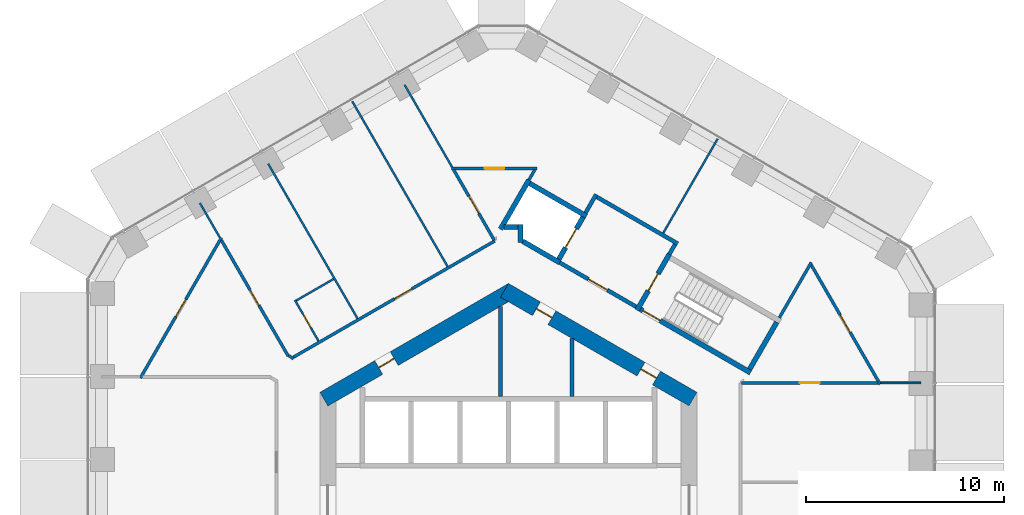
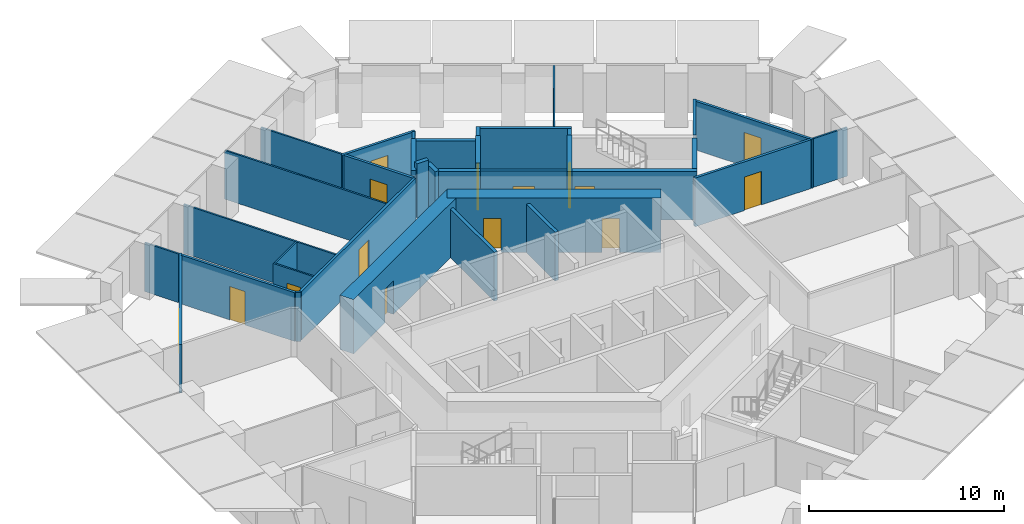
# One storey, part 14 of 19: 35 walls, 15 doors, 15 openings.
"""IFC4 building model written with IfcOpenShell, lengths in metres."""

from ifc_helpers import new_model, si_unit, direction, frame, frame_2d, origin, place, context, subcontext, project, spatial, rectangle, extrude, material, layer, layer_set, type_object, element, fill, save


model = new_model("IFC4")

# Units and contexts
model_context = context("Model", 3, precision=1e-05, world=origin(), true_north=direction((0.0, 1.0)))
body_context = subcontext(model_context, "Body", "Model", "MODEL_VIEW")
ifc_project = project(units=[si_unit("LENGTHUNIT", "METRE"), si_unit("AREAUNIT", "SQUARE_METRE"), si_unit("VOLUMEUNIT", "CUBIC_METRE"), si_unit("PLANEANGLEUNIT", "RADIAN"), si_unit("MASSUNIT", "GRAM", prefix="KILO")], contexts=[model_context])

# Site, building, storey
site_placement = place(None, origin())
site = spatial("IfcSite", under=ifc_project, at=site_placement, CompositionType="ELEMENT")
building_placement = place(site_placement, origin())
building = spatial("IfcBuilding", under=site, at=building_placement, Name="Ayvan Gate Tower", CompositionType="ELEMENT")
storey_placement = place(building_placement, frame((0.0, 0.0, 42.5)))
storey = spatial("IfcBuildingStorey", under=building, at=storey_placement, Name="L10", CompositionType="ELEMENT", Elevation=42.5)

# Wall, openings, doors
ifc_material_1 = material(Name="Concrete C70/85", Category="concrete")
ifc_layer_1 = layer(ifc_material_1, 0.800048828125)
ifc_layer_set_1 = layer_set([ifc_layer_1], Name="Concrete C70/85")
wall_type_1 = type_object("IfcWallType", Name="Core wall 800 C70/85", PredefinedType="SHEAR", material=ifc_layer_set_1)
wall_1_placement = place(storey_placement, frame((9.300048828125, 5.138427734375, 0.0), z_axis=(0.0, 0.0, 1.0), x_axis=(-0.866023993627, 0.500002442456, 0.0)))
wall_1 = element("IfcWall", 1, at=wall_1_placement, inside=storey, type_object=wall_type_1, Name="CORE-L10-1", PredefinedType="SHEAR", context=body_context, shape_type="SweptSolid", body=[
    extrude(rectangle(XDim=10.9697265625, YDim=0.800048828125, at=frame_2d((5.48486328125, 0.0))), origin(), (0.0, 0.0, 1.0), 3.39990234375),
])
opening_1_placement = place(wall_1_placement, frame((8.209716796875, 0.0, 0.0)))
opening_1 = element("IfcOpeningElement", 2, at=opening_1_placement, cuts=wall_1, Name="Opening L10-D37", PredefinedType="OPENING", context=body_context, shape_type="SweptSolid", body=[
    extrude(rectangle(XDim=0.89990234375, YDim=2.10009765625, at=frame_2d((0.449951171875, 1.050048828125))), frame((0.0, 0.409912109375, 0.0), z_axis=(0.0, -1.0, 0.0), x_axis=(1.0, 0.0, 0.0)), (0.0, 0.0, 1.0), 0.820068359375),
])
opening_2_placement = place(wall_1_placement, frame((2.1259765625, 0.0, 0.0)))
opening_2 = element("IfcOpeningElement", 3, at=opening_2_placement, cuts=wall_1, Name="Opening L10-D38", PredefinedType="OPENING", context=body_context, shape_type="SweptSolid", body=[
    extrude(rectangle(XDim=0.89990234375, YDim=2.10009765625, at=frame_2d((0.449951171875, 1.050048828125))), frame((0.0, 0.409912109375, 0.0), z_axis=(0.0, -1.0, 0.0), x_axis=(1.0, 0.0, 0.0)), (0.0, 0.0, 1.0), 0.820068359375),
])
ifc_material_2 = material(Name="Timber door leaf", Category="wood")
door_type_1 = type_object("IfcDoorType", Name="DT-900", OperationType="NOTDEFINED", PredefinedType="DOOR", material=ifc_material_2)
door_1_placement = place(opening_1_placement, origin())
door_1 = element("IfcDoor", 4, at=door_1_placement, inside=storey, type_object=door_type_1, Name="CD-L10-37", OperationType="SINGLE_SWING_LEFT", OverallHeight=2.10009765625, OverallWidth=0.89990234375, PredefinedType="DOOR", context=body_context, shape_type="SweptSolid", body=[
    extrude(rectangle(XDim=0.89990234375, YDim=2.10009765625, at=frame_2d((0.449951171875, 1.050048828125))), frame((0.0, 0.02490234375, 0.0), z_axis=(0.0, -1.0, 0.0), x_axis=(1.0, 0.0, 0.0)), (0.0, 0.0, 1.0), 0.050048828125),
])
fill(opening_1, door_1)
door_2_placement = place(opening_2_placement, origin())
door_2 = element("IfcDoor", 5, at=door_2_placement, inside=storey, type_object=door_type_1, Name="CD-L10-38", OperationType="SINGLE_SWING_RIGHT", OverallHeight=2.10009765625, OverallWidth=0.89990234375, PredefinedType="DOOR", context=body_context, shape_type="SweptSolid", body=[
    extrude(rectangle(XDim=0.89990234375, YDim=2.10009765625, at=frame_2d((0.449951171875, 1.050048828125))), frame((0.0, 0.02490234375, 0.0), z_axis=(0.0, -1.0, 0.0), x_axis=(1.0, 0.0, 0.0)), (0.0, 0.0, 1.0), 0.050048828125),
])
fill(opening_2, door_2)

# Wall, opening, door
wall_2_placement = place(storey_placement, frame((0.199951171875, 10.623291015625, 0.0), z_axis=(0.0, 0.0, 1.0), x_axis=(-0.866023993627, -0.500002442456, 0.0)))
wall_2 = element("IfcWall", 6, at=wall_2_placement, inside=storey, type_object=wall_type_1, Name="CORE-L10-2", PredefinedType="SHEAR", context=body_context, shape_type="SweptSolid", body=[
    extrude(rectangle(XDim=10.9697265625, YDim=0.800048828125, at=frame_2d((5.48486328125, 0.0))), origin(), (0.0, 0.0, 1.0), 3.39990234375),
])
opening_3_placement = place(wall_2_placement, frame((6.877197265625, 0.0, 0.0)))
opening_3 = element("IfcOpeningElement", 7, at=opening_3_placement, cuts=wall_2, Name="Opening L10-D36", PredefinedType="OPENING", context=body_context, shape_type="SweptSolid", body=[
    extrude(rectangle(XDim=0.89990234375, YDim=2.10009765625, at=frame_2d((0.449951171875, 1.050048828125))), frame((0.0, 0.409912109375, 0.0), z_axis=(0.0, -1.0, 0.0), x_axis=(1.0, 0.0, 0.0)), (0.0, 0.0, 1.0), 0.820068359375),
])
door_3_placement = place(opening_3_placement, origin())
door_3 = element("IfcDoor", 8, at=door_3_placement, inside=storey, type_object=door_type_1, Name="CD-L10-36", OperationType="SINGLE_SWING_RIGHT", OverallHeight=2.10009765625, OverallWidth=0.89990234375, PredefinedType="DOOR", context=body_context, shape_type="SweptSolid", body=[
    extrude(rectangle(XDim=0.89990234375, YDim=2.10009765625, at=frame_2d((0.449951171875, 1.050048828125))), frame((0.0, 0.02490234375, 0.0), z_axis=(0.0, -1.0, 0.0), x_axis=(1.0, 0.0, 0.0)), (0.0, 0.0, 1.0), 0.050048828125),
])
fill(opening_3, door_3)

ifc_material_3 = material(Name="Plasterboard on steel stud", Category="steel")
ifc_layer_2 = layer(ifc_material_3, 0.14990234375)
ifc_layer_set_2 = layer_set([ifc_layer_2], Name="Plasterboard on steel stud")
wall_type_2 = type_object("IfcWallType", Name="WT-CORR-150", PredefinedType="PARTITIONING", material=ifc_layer_set_2)
wall_3_placement = place(storey_placement, frame((-18.550537109375, 6.198486328125, 0.0), z_axis=(0.0, 0.0, 1.0), x_axis=(0.499992316511, 0.866029839804, 0.0)))
wall_3 = element("IfcWall", 9, at=wall_3_placement, inside=storey, type_object=wall_type_2, Name="IW-L10-003", PredefinedType="PARTITIONING", context=body_context, shape_type="SweptSolid", body=[
    extrude(rectangle(XDim=8.170654296875, YDim=0.14990234375, at=frame_2d((4.08544921875, 0.0))), origin(), (0.0, 0.0, 1.0), 3.050048828125),
])
opening_4_placement = place(wall_3_placement, frame((3.585205078125, 0.0, 0.0)))
opening_4 = element("IfcOpeningElement", 10, at=opening_4_placement, cuts=wall_3, Name="Opening L10-D21", PredefinedType="OPENING", context=body_context, shape_type="SweptSolid", body=[
    extrude(rectangle(XDim=1.0, YDim=2.10009765625, at=frame_2d((0.5, 1.050048828125))), frame((0.0, 0.0849609375, 0.0), z_axis=(0.0, -1.0, 0.0), x_axis=(1.0, 0.0, 0.0)), (0.0, 0.0, 1.0), 0.169921875),
])
door_type_2 = type_object("IfcDoorType", Name="DT-1000", OperationType="NOTDEFINED", PredefinedType="DOOR", material=ifc_material_2)
door_4_placement = place(opening_4_placement, origin())
door_4 = element("IfcDoor", 11, at=door_4_placement, inside=storey, type_object=door_type_2, Name="ID-L10-021", OperationType="SINGLE_SWING_LEFT", OverallHeight=2.10009765625, OverallWidth=1.0, PredefinedType="DOOR", context=body_context, shape_type="SweptSolid", body=[
    extrude(rectangle(XDim=1.0, YDim=2.10009765625, at=frame_2d((0.5, 1.050048828125))), frame((0.0, 0.02490234375, 0.0), z_axis=(0.0, -1.0, 0.0), x_axis=(1.0, 0.0, 0.0)), (0.0, 0.0, 1.0), 0.050048828125),
])
fill(opening_4, door_4)

wall_4_placement = place(storey_placement, frame((-14.46533203125, 13.144287109375, 0.0), z_axis=(0.0, 0.0, 1.0), x_axis=(0.499987913086, -0.866032382055, 0.0)))
wall_4 = element("IfcWall", 12, at=wall_4_placement, inside=storey, type_object=wall_type_2, Name="IW-L10-007", PredefinedType="PARTITIONING", context=body_context, shape_type="SweptSolid", body=[
    extrude(rectangle(XDim=6.740478515625, YDim=0.14990234375, at=frame_2d((3.3701171875, 0.0))), origin(), (0.0, 0.0, 1.0), 3.050048828125),
])
opening_5_placement = place(wall_4_placement, frame((2.8828125, 0.0, 0.0)))
opening_5 = element("IfcOpeningElement", 13, at=opening_5_placement, cuts=wall_4, Name="Opening L10-D34", PredefinedType="OPENING", context=body_context, shape_type="SweptSolid", body=[
    extrude(rectangle(XDim=0.89990234375, YDim=2.10009765625, at=frame_2d((0.449951171875, 1.050048828125))), frame((0.0, 0.0849609375, 0.0), z_axis=(0.0, -1.0, 0.0), x_axis=(1.0, 0.0, 0.0)), (0.0, 0.0, 1.0), 0.169921875),
])
door_5_placement = place(opening_5_placement, origin())
door_5 = element("IfcDoor", 14, at=door_5_placement, inside=storey, type_object=door_type_1, Name="ID-L10-034", OperationType="SINGLE_SWING_RIGHT", OverallHeight=2.10009765625, OverallWidth=0.89990234375, PredefinedType="DOOR", context=body_context, shape_type="SweptSolid", body=[
    extrude(rectangle(XDim=0.89990234375, YDim=2.10009765625, at=frame_2d((0.449951171875, 1.050048828125))), frame((0.0, 0.02490234375, 0.0), z_axis=(0.0, -1.0, 0.0), x_axis=(1.0, 0.0, 0.0)), (0.0, 0.0, 1.0), 0.050048828125),
])
fill(opening_5, door_5)

# Wall
wall_5_placement = place(storey_placement, frame((-11.0693359375, 7.331787109375, 0.0), z_axis=(0.0, 0.0, 1.0), x_axis=(0.844832077785, -0.535031550794, 0.0)))
element("IfcWall", 15, at=wall_5_placement, inside=storey, type_object=wall_type_2, Name="IW-L10-018", PredefinedType="PARTITIONING", context=body_context, shape_type="SweptSolid", body=[
    extrude(rectangle(XDim=0.282958984375, YDim=0.14990234375, at=frame_2d((0.1416015625, 0.0))), origin(), (0.0, 0.0, 1.0), 3.050048828125),
])

# Wall, opening, door
wall_6_placement = place(storey_placement, frame((-10.828857421875, 7.258056640625, 0.0), z_axis=(0.0, 0.0, 1.0), x_axis=(0.86602927387, 0.499993296755, 0.0)))
wall_6 = element("IfcWall", 16, at=wall_6_placement, inside=storey, type_object=wall_type_2, Name="IW-L10-019", PredefinedType="PARTITIONING", context=body_context, shape_type="SweptSolid", body=[
    extrude(rectangle(XDim=11.704345703125, YDim=0.14990234375, at=frame_2d((5.85205078125, 0.0))), origin(), (0.0, 0.0, 1.0), 3.050048828125),
])
opening_6_placement = place(wall_6_placement, frame((5.88427734375, 0.0, 0.0)))
opening_6 = element("IfcOpeningElement", 17, at=opening_6_placement, cuts=wall_6, Name="Opening L10-D33", PredefinedType="OPENING", context=body_context, shape_type="SweptSolid", body=[
    extrude(rectangle(XDim=1.0, YDim=2.10009765625, at=frame_2d((0.5, 1.050048828125))), frame((0.0, 0.0849609375, 0.0), z_axis=(0.0, -1.0, 0.0), x_axis=(1.0, 0.0, 0.0)), (0.0, 0.0, 1.0), 0.169921875),
])
door_6_placement = place(opening_6_placement, origin())
door_6 = element("IfcDoor", 18, at=door_6_placement, inside=storey, type_object=door_type_2, Name="ID-L10-033", OperationType="SINGLE_SWING_LEFT", OverallHeight=2.10009765625, OverallWidth=1.0, PredefinedType="DOOR", context=body_context, shape_type="SweptSolid", body=[
    extrude(rectangle(XDim=1.0, YDim=2.10009765625, at=frame_2d((0.5, 1.050048828125))), frame((0.0, 0.02490234375, 0.0), z_axis=(0.0, -1.0, 0.0), x_axis=(1.0, 0.0, 0.0)), (0.0, 0.0, 1.0), 0.050048828125),
])
fill(opening_6, door_6)

wall_7_placement = place(storey_placement, frame((-2.877685546875, 16.7646484375, 0.0), z_axis=(0.0, 0.0, 1.0), x_axis=(1.0, 0.0, 0.0)))
wall_7 = element("IfcWall", 19, at=wall_7_placement, inside=storey, type_object=wall_type_2, Name="IW-L10-046", PredefinedType="PARTITIONING", context=body_context, shape_type="SweptSolid", body=[
    extrude(rectangle(XDim=4.31787109375, YDim=0.14990234375, at=frame_2d((2.158935546875, 0.0))), origin(), (0.0, 0.0, 1.0), 3.050048828125),
])
opening_7_placement = place(wall_7_placement, frame((1.67626953125, 0.0, 0.0)))
opening_7 = element("IfcOpeningElement", 20, at=opening_7_placement, cuts=wall_7, Name="Opening L10-D20", PredefinedType="OPENING", context=body_context, shape_type="SweptSolid", body=[
    extrude(rectangle(XDim=1.0, YDim=2.10009765625, at=frame_2d((0.5, 1.050048828125))), frame((0.0, 0.0849609375, 0.0), z_axis=(0.0, -1.0, 0.0), x_axis=(1.0, 0.0, 0.0)), (0.0, 0.0, 1.0), 0.169921875),
])
door_7_placement = place(opening_7_placement, origin())
door_7 = element("IfcDoor", 21, at=door_7_placement, inside=storey, type_object=door_type_2, Name="ID-L10-020", OperationType="SINGLE_SWING_RIGHT", OverallHeight=2.10009765625, OverallWidth=1.0, PredefinedType="DOOR", context=body_context, shape_type="SweptSolid", body=[
    extrude(rectangle(XDim=1.0, YDim=2.10009765625, at=frame_2d((0.5, 1.050048828125))), frame((0.0, 0.02490234375, 0.0), z_axis=(0.0, -1.0, 0.0), x_axis=(1.0, 0.0, 0.0)), (0.0, 0.0, 1.0), 0.050048828125),
])
fill(opening_7, door_7)

wall_8_placement = place(storey_placement, frame((-0.71875, 13.1552734375, 0.0), z_axis=(0.0, 0.0, 1.0), x_axis=(-0.500001288116, 0.866024660089, 0.0)))
wall_8 = element("IfcWall", 22, at=wall_8_placement, inside=storey, type_object=wall_type_2, Name="IW-L10-053", PredefinedType="PARTITIONING", context=body_context, shape_type="SweptSolid", body=[
    extrude(rectangle(XDim=4.0927734375, YDim=0.14990234375, at=frame_2d((2.04638671875, 0.0))), origin(), (0.0, 0.0, 1.0), 3.050048828125),
])
opening_8_placement = place(wall_8_placement, frame((1.54638671875, 0.0, 0.0)))
opening_8 = element("IfcOpeningElement", 23, at=opening_8_placement, cuts=wall_8, Name="Opening L10-D32", PredefinedType="OPENING", context=body_context, shape_type="SweptSolid", body=[
    extrude(rectangle(XDim=1.0, YDim=2.10009765625, at=frame_2d((0.5, 1.050048828125))), frame((0.0, 0.0849609375, 0.0), z_axis=(0.0, -1.0, 0.0), x_axis=(1.0, 0.0, 0.0)), (0.0, 0.0, 1.0), 0.169921875),
])
door_8_placement = place(opening_8_placement, origin())
door_8 = element("IfcDoor", 24, at=door_8_placement, inside=storey, type_object=door_type_2, Name="ID-L10-032", OperationType="SINGLE_SWING_RIGHT", OverallHeight=2.10009765625, OverallWidth=1.0, PredefinedType="DOOR", context=body_context, shape_type="SweptSolid", body=[
    extrude(rectangle(XDim=1.0, YDim=2.10009765625, at=frame_2d((0.5, 1.050048828125))), frame((0.0, 0.02490234375, 0.0), z_axis=(0.0, -1.0, 0.0), x_axis=(1.0, 0.0, 0.0)), (0.0, 0.0, 1.0), 0.050048828125),
])
fill(opening_8, door_8)

# Walls
wall_9_placement = place(storey_placement, frame((1.32763671875, 16.69970703125, 0.0), z_axis=(0.0, 0.0, 1.0), x_axis=(-0.499851339389, -0.866111216017, 0.0)))
element("IfcWall", 25, at=wall_9_placement, inside=storey, type_object=wall_type_2, Name="IW-L10-065", PredefinedType="PARTITIONING", context=body_context, shape_type="SweptSolid", body=[
    extrude(rectangle(XDim=0.601318359375, YDim=0.14990234375, at=frame_2d((0.30078125, 0.0))), origin(), (0.0, 0.0, 1.0), 3.050048828125),
])
wall_10_placement = place(storey_placement, frame((13.647705078125, 9.23876953125, 0.0), z_axis=(0.0, 0.0, 1.0), x_axis=(0.500017561474, 0.866015264425, 0.0)))
element("IfcWall", 26, at=wall_10_placement, inside=storey, type_object=wall_type_2, Name="IW-L10-105", PredefinedType="PARTITIONING", context=body_context, shape_type="SweptSolid", body=[
    extrude(rectangle(XDim=3.22265625, YDim=0.14990234375, at=frame_2d((1.611328125, 0.0))), origin(), (0.0, 0.0, 1.0), 3.050048828125),
])

# Wall, opening, door
wall_11_placement = place(storey_placement, frame((15.259033203125, 11.899658203125, 0.0), z_axis=(0.0, 0.0, 1.0), x_axis=(0.499987416453, -0.866032668777, 0.0)))
wall_11 = element("IfcWall", 27, at=wall_11_placement, inside=storey, type_object=wall_type_2, Name="IW-L10-108", PredefinedType="PARTITIONING", context=body_context, shape_type="SweptSolid", body=[
    extrude(rectangle(XDim=6.939208984375, YDim=0.14990234375, at=frame_2d((3.4697265625, 0.0))), origin(), (0.0, 0.0, 1.0), 3.050048828125),
])
opening_9_placement = place(wall_11_placement, frame((2.914794921875, 0.0, 0.0)))
opening_9 = element("IfcOpeningElement", 28, at=opening_9_placement, cuts=wall_11, Name="Opening L10-D19", PredefinedType="OPENING", context=body_context, shape_type="SweptSolid", body=[
    extrude(rectangle(XDim=1.0, YDim=2.10009765625, at=frame_2d((0.5, 1.050048828125))), frame((0.0, 0.0849609375, 0.0), z_axis=(0.0, -1.0, 0.0), x_axis=(1.0, 0.0, 0.0)), (0.0, 0.0, 1.0), 0.169921875),
])
door_9_placement = place(opening_9_placement, origin())
door_9 = element("IfcDoor", 29, at=door_9_placement, inside=storey, type_object=door_type_2, Name="ID-L10-019", OperationType="SINGLE_SWING_LEFT", OverallHeight=2.10009765625, OverallWidth=1.0, PredefinedType="DOOR", context=body_context, shape_type="SweptSolid", body=[
    extrude(rectangle(XDim=1.0, YDim=2.10009765625, at=frame_2d((0.5, 1.050048828125))), frame((0.0, 0.02490234375, 0.0), z_axis=(0.0, -1.0, 0.0), x_axis=(1.0, 0.0, 0.0)), (0.0, 0.0, 1.0), 0.050048828125),
])
fill(opening_9, door_9)

wall_12_placement = place(storey_placement, frame((18.6162109375, 5.955078125, 0.0), z_axis=(0.0, 0.0, 1.0), x_axis=(-1.0, 0.0, 0.0)))
wall_12 = element("IfcWall", 30, at=wall_12_placement, inside=storey, type_object=wall_type_2, Name="IW-L10-111", PredefinedType="PARTITIONING", context=body_context, shape_type="SweptSolid", body=[
    extrude(rectangle(XDim=6.864013671875, YDim=0.14990234375, at=frame_2d((3.43212890625, 0.0))), origin(), (0.0, 0.0, 1.0), 3.050048828125),
])
opening_10_placement = place(wall_12_placement, frame((2.931884765625, 0.0, 0.0)))
opening_10 = element("IfcOpeningElement", 31, at=opening_10_placement, cuts=wall_12, Name="Opening L10-D18", PredefinedType="OPENING", context=body_context, shape_type="SweptSolid", body=[
    extrude(rectangle(XDim=1.0, YDim=2.10009765625, at=frame_2d((0.5, 1.050048828125))), frame((0.0, 0.0849609375, 0.0), z_axis=(0.0, -1.0, 0.0), x_axis=(1.0, 0.0, 0.0)), (0.0, 0.0, 1.0), 0.169921875),
])
door_10_placement = place(opening_10_placement, origin())
door_10 = element("IfcDoor", 32, at=door_10_placement, inside=storey, type_object=door_type_2, Name="ID-L10-018", OperationType="SINGLE_SWING_RIGHT", OverallHeight=2.10009765625, OverallWidth=1.0, PredefinedType="DOOR", context=body_context, shape_type="SweptSolid", body=[
    extrude(rectangle(XDim=1.0, YDim=2.10009765625, at=frame_2d((0.5, 1.050048828125))), frame((0.0, 0.02490234375, 0.0), z_axis=(0.0, -1.0, 0.0), x_axis=(1.0, 0.0, 0.0)), (0.0, 0.0, 1.0), 0.050048828125),
])
fill(opening_10, door_10)

# Wall
ifc_layer_3 = layer(ifc_material_3, 0.10009765625)
ifc_layer_set_3 = layer_set([ifc_layer_3], Name="Plasterboard on steel stud")
wall_type_3 = type_object("IfcWallType", Name="WT-PART-100", PredefinedType="PARTITIONING", material=ifc_layer_set_3)
wall_13_placement = place(storey_placement, frame((-15.549560546875, 15.0224609375, 0.0), z_axis=(0.0, 0.0, 1.0), x_axis=(0.500015609314, -0.866016391555, 0.0)))
element("IfcWall", 33, at=wall_13_placement, inside=storey, type_object=wall_type_3, Name="IW-L10-004", PredefinedType="PARTITIONING", context=body_context, shape_type="SweptSolid", body=[
    extrude(rectangle(XDim=2.0185546875, YDim=0.10009765625, at=frame_2d((1.00927734375, 0.0))), origin(), (0.0, 0.0, 1.0), 3.050048828125),
])

# Wall, opening, door
wall_14_placement = place(storey_placement, frame((-10.760009765625, 10.126708984375, 0.0), z_axis=(0.0, 0.0, 1.0), x_axis=(0.499986429846, -0.866033238375, 0.0)))
wall_14 = element("IfcWall", 34, at=wall_14_placement, inside=storey, type_object=wall_type_3, Name="IW-L10-020", PredefinedType="PARTITIONING", context=body_context, shape_type="SweptSolid", body=[
    extrude(rectangle(XDim=2.375, YDim=0.10009765625, at=frame_2d((1.1875, 0.0))), origin(), (0.0, 0.0, 1.0), 3.050048828125),
])
opening_11_placement = place(wall_14_placement, frame((0.8125, 0.0, 0.0)))
opening_11 = element("IfcOpeningElement", 35, at=opening_11_placement, cuts=wall_14, Name="Opening L10-D35", PredefinedType="OPENING", context=body_context, shape_type="SweptSolid", body=[
    extrude(rectangle(XDim=0.800048828125, YDim=2.10009765625, at=frame_2d((0.39990234375, 1.050048828125))), frame((0.0, 0.06005859375, 0.0), z_axis=(0.0, -1.0, 0.0), x_axis=(1.0, 0.0, 0.0)), (0.0, 0.0, 1.0), 0.1201171875),
])
door_type_3 = type_object("IfcDoorType", Name="DT-800", OperationType="NOTDEFINED", PredefinedType="DOOR", material=ifc_material_2)
door_11_placement = place(opening_11_placement, origin())
door_11 = element("IfcDoor", 36, at=door_11_placement, inside=storey, type_object=door_type_3, Name="ID-L10-035", OperationType="SINGLE_SWING_LEFT", OverallHeight=2.10009765625, OverallWidth=0.800048828125, PredefinedType="DOOR", context=body_context, shape_type="SweptSolid", body=[
    extrude(rectangle(XDim=0.800048828125, YDim=2.10009765625, at=frame_2d((0.39990234375, 1.050048828125))), frame((0.0, 0.02490234375, 0.0), z_axis=(0.0, -1.0, 0.0), x_axis=(1.0, 0.0, 0.0)), (0.0, 0.0, 1.0), 0.050048828125),
])
fill(opening_11, door_11)

# Walls
wall_15_placement = place(storey_placement, frame((-8.8125, 11.193359375, 0.0), z_axis=(0.0, 0.0, 1.0), x_axis=(-0.866046953215, -0.499962673433, 0.0)))
element("IfcWall", 37, at=wall_15_placement, inside=storey, type_object=wall_type_3, Name="IW-L10-022", PredefinedType="PARTITIONING", context=body_context, shape_type="SweptSolid", body=[
    extrude(rectangle(XDim=2.170166015625, YDim=0.10009765625, at=frame_2d((1.0849609375, 0.0))), origin(), (0.0, 0.0, 1.0), 3.050048828125),
])
wall_16_placement = place(storey_placement, frame((-12.111328125, 17.007568359375, 0.0), z_axis=(0.0, 0.0, 1.0), x_axis=(0.499977347544, -0.866038481791, 0.0)))
element("IfcWall", 38, at=wall_16_placement, inside=storey, type_object=wall_type_3, Name="IW-L10-023", PredefinedType="PARTITIONING", context=body_context, shape_type="SweptSolid", body=[
    extrude(rectangle(XDim=9.009765625, YDim=0.10009765625, at=frame_2d((4.5048828125, 0.0))), origin(), (0.0, 0.0, 1.0), 3.050048828125),
])
wall_17_placement = place(storey_placement, frame((-3.068115234375, 11.8251953125, 0.0), z_axis=(0.0, 0.0, 1.0), x_axis=(-0.500018000043, 0.866015011206, 0.0)))
element("IfcWall", 39, at=wall_17_placement, inside=storey, type_object=wall_type_3, Name="IW-L10-044", PredefinedType="PARTITIONING", context=body_context, shape_type="SweptSolid", body=[
    extrude(rectangle(XDim=9.605712890625, YDim=0.10009765625, at=frame_2d((4.802734375, 0.0))), origin(), (0.0, 0.0, 1.0), 3.050048828125),
])
wall_18_placement = place(storey_placement, frame((-2.840087890625, 16.82958984375, 0.0), z_axis=(0.0, 0.0, 1.0), x_axis=(-0.500031306162, 0.866007328409, 0.0)))
element("IfcWall", 40, at=wall_18_placement, inside=storey, type_object=wall_type_3, Name="IW-L10-045", PredefinedType="PARTITIONING", context=body_context, shape_type="SweptSolid", body=[
    extrude(rectangle(XDim=4.789794921875, YDim=0.10009765625, at=frame_2d((2.39501953125, 0.0))), origin(), (0.0, 0.0, 1.0), 3.050048828125),
])
wall_19_placement = place(storey_placement, frame((7.800048828125, 13.510009765625, 0.0), z_axis=(0.0, 0.0, 1.0), x_axis=(0.499993496201, 0.866029158722, 0.0)))
element("IfcWall", 41, at=wall_19_placement, inside=storey, type_object=wall_type_3, Name="IW-L10-089", PredefinedType="PARTITIONING", context=body_context, shape_type="SweptSolid", body=[
    extrude(rectangle(XDim=5.48388671875, YDim=0.10009765625, at=frame_2d((2.741943359375, 0.0))), origin(), (0.0, 0.0, 1.0), 3.050048828125),
])
wall_20_placement = place(storey_placement, frame((18.76611328125, 5.955078125, 0.0), z_axis=(0.0, 0.0, 1.0), x_axis=(1.0, 0.0, 0.0)))
element("IfcWall", 42, at=wall_20_placement, inside=storey, type_object=wall_type_3, Name="IW-L10-110", PredefinedType="PARTITIONING", context=body_context, shape_type="SweptSolid", body=[
    extrude(rectangle(XDim=2.0185546875, YDim=0.10009765625, at=frame_2d((1.00927734375, 0.0))), origin(), (0.0, 0.0, 1.0), 3.050048828125),
])
ifc_layer_4 = layer(ifc_material_3, 0.199951171875)
ifc_layer_set_4 = layer_set([ifc_layer_4], Name="Plasterboard on steel stud")
wall_type_4 = type_object("IfcWallType", Name="WT-RATED-200", PredefinedType="PARTITIONING", material=ifc_layer_set_4)
wall_21_placement = place(storey_placement, frame((-0.39990234375, 9.81494140625, 0.0), z_axis=(0.0, 0.0, 1.0), x_axis=(0.0, -1.0, 0.0)))
element("IfcWall", 43, at=wall_21_placement, inside=storey, type_object=wall_type_4, Name="IW-L10-057", PredefinedType="PARTITIONING", context=body_context, shape_type="SweptSolid", body=[
    extrude(rectangle(XDim=4.5400390625, YDim=0.199951171875, at=frame_2d((2.27001953125, 0.0))), origin(), (0.0, 0.0, 1.0), 3.050048828125),
])
wall_22_placement = place(storey_placement, frame((3.199951171875, 8.198486328125, 0.0), z_axis=(0.0, 0.0, 1.0), x_axis=(0.0, -1.0, 0.0)))
element("IfcWall", 44, at=wall_22_placement, inside=storey, type_object=wall_type_4, Name="IW-L10-073", PredefinedType="PARTITIONING", context=body_context, shape_type="SweptSolid", body=[
    extrude(rectangle(XDim=2.923583984375, YDim=0.199951171875, at=frame_2d((1.4619140625, 0.0))), origin(), (0.0, 0.0, 1.0), 3.050048828125),
])
wall_23_placement = place(storey_placement, frame((3.885009765625, 14.52880859375, 0.0), z_axis=(0.0, 0.0, 1.0), x_axis=(0.499997628298, 0.866026773083, 0.0)))
element("IfcWall", 45, at=wall_23_placement, inside=storey, type_object=wall_type_4, Name="IW-L10-077", PredefinedType="PARTITIONING", context=body_context, shape_type="SweptSolid", body=[
    extrude(rectangle(XDim=1.0751953125, YDim=0.199951171875, at=frame_2d((0.53759765625, 0.0))), origin(), (0.0, 0.0, 1.0), 3.050048828125),
])
wall_24_placement = place(storey_placement, frame((4.458984375, 15.323486328125, 0.0), z_axis=(0.0, 0.0, 1.0), x_axis=(0.866016039709, -0.500016218704, 0.0)))
element("IfcWall", 46, at=wall_24_placement, inside=storey, type_object=wall_type_4, Name="IW-L10-078", PredefinedType="PARTITIONING", context=body_context, shape_type="SweptSolid", body=[
    extrude(rectangle(XDim=4.699951171875, YDim=0.199951171875, at=frame_2d((2.35009765625, 0.0))), origin(), (0.0, 0.0, 1.0), 3.050048828125),
])

# Wall, opening, door
wall_25_placement = place(storey_placement, frame((6.4345703125, 9.794921875, 0.0), z_axis=(0.0, 0.0, 1.0), x_axis=(-0.866012907634, 0.500021643343, 0.0)))
wall_25 = element("IfcWall", 47, at=wall_25_placement, inside=storey, type_object=wall_type_4, Name="IW-L10-081", PredefinedType="PARTITIONING", context=body_context, shape_type="SweptSolid", body=[
    extrude(rectangle(XDim=4.449951171875, YDim=0.199951171875, at=frame_2d((2.22509765625, 0.0))), origin(), (0.0, 0.0, 1.0), 3.050048828125),
])
opening_12_placement = place(wall_25_placement, frame((1.675048828125, 0.0, 0.0)))
opening_12 = element("IfcOpeningElement", 48, at=opening_12_placement, cuts=wall_25, Name="Opening L10-D08", PredefinedType="OPENING", context=body_context, shape_type="SweptSolid", body=[
    extrude(rectangle(XDim=1.10009765625, YDim=2.10009765625, at=frame_2d((0.550048828125, 1.050048828125))), frame((0.0, 0.10986328125, 0.0), z_axis=(0.0, -1.0, 0.0), x_axis=(1.0, 0.0, 0.0)), (0.0, 0.0, 1.0), 0.219970703125),
])
door_type_4 = type_object("IfcDoorType", Name="DT-1100", OperationType="NOTDEFINED", PredefinedType="DOOR", material=ifc_material_2)
door_12_placement = place(opening_12_placement, origin())
door_12 = element("IfcDoor", 49, at=door_12_placement, inside=storey, type_object=door_type_4, Name="ID-L10-008", OperationType="SINGLE_SWING_RIGHT", OverallHeight=2.10009765625, OverallWidth=1.10009765625, PredefinedType="DOOR", context=body_context, shape_type="SweptSolid", body=[
    extrude(rectangle(XDim=1.10009765625, YDim=2.10009765625, at=frame_2d((0.550048828125, 1.050048828125))), frame((0.0, 0.02490234375, 0.0), z_axis=(0.0, -1.0, 0.0), x_axis=(1.0, 0.0, 0.0)), (0.0, 0.0, 1.0), 0.050048828125),
])
fill(opening_12, door_12)

# Walls
wall_26_placement = place(storey_placement, frame((8.392822265625, 12.936767578125, 0.0), z_axis=(0.0, 0.0, 1.0), x_axis=(-0.500065409566, -0.86598763626, 0.0)))
element("IfcWall", 50, at=wall_26_placement, inside=storey, type_object=wall_type_4, Name="IW-L10-091", PredefinedType="PARTITIONING", context=body_context, shape_type="SweptSolid", body=[
    extrude(rectangle(XDim=0.5751953125, YDim=0.199951171875, at=frame_2d((0.28759765625, 0.0))), origin(), (0.0, 0.0, 1.0), 3.050048828125),
])
ifc_material_4 = material(Name="Concrete C50/60", Category="concrete")
ifc_layer_5 = layer(ifc_material_4, 0.25)
ifc_layer_set_5 = layer_set([ifc_layer_5], Name="Concrete C50/60")
wall_type_5 = type_object("IfcWallType", Name="WT-RC-250", PredefinedType="SHEAR", material=ifc_layer_set_5)
wall_27_placement = place(storey_placement, frame((-0.403076171875, 13.70166015625, 0.0), z_axis=(0.0, 0.0, 1.0), x_axis=(0.499976111731, 0.866039195244, 0.0)))
element("IfcWall", 51, at=wall_27_placement, inside=storey, type_object=wall_type_5, Name="IW-L10-058", PredefinedType="SHEAR", context=body_context, shape_type="SweptSolid", body=[
    extrude(rectangle(XDim=2.860595703125, YDim=0.25, at=frame_2d((1.43017578125, 0.0))), origin(), (0.0, 0.0, 1.0), 3.050048828125),
])
wall_28_placement = place(storey_placement, frame((0.60009765625, 13.03857421875, 0.0), z_axis=(0.0, 0.0, 1.0), x_axis=(0.0, 1.0, 0.0)))
element("IfcWall", 52, at=wall_28_placement, inside=storey, type_object=wall_type_5, Name="IW-L10-062", PredefinedType="SHEAR", context=body_context, shape_type="SweptSolid", body=[
    extrude(rectangle(XDim=0.896484375, YDim=0.25, at=frame_2d((0.4482421875, 0.0))), origin(), (0.0, 0.0, 1.0), 3.050048828125),
])
wall_29_placement = place(storey_placement, frame((0.47509765625, 13.81005859375, 0.0), z_axis=(0.0, 0.0, 1.0), x_axis=(-1.0, 0.0, 0.0)))
element("IfcWall", 53, at=wall_29_placement, inside=storey, type_object=wall_type_5, Name="IW-L10-063", PredefinedType="SHEAR", context=body_context, shape_type="SweptSolid", body=[
    extrude(rectangle(XDim=0.690673828125, YDim=0.25, at=frame_2d((0.34521484375, 0.0))), origin(), (0.0, 0.0, 1.0), 3.39990234375),
])
wall_30_placement = place(storey_placement, frame((1.072998046875, 16.00830078125, 0.0), z_axis=(0.0, 0.0, 1.0), x_axis=(0.866040211805, -0.499974350878, 0.0)))
element("IfcWall", 54, at=wall_30_placement, inside=storey, type_object=wall_type_5, Name="IW-L10-064", PredefinedType="SHEAR", context=body_context, shape_type="SweptSolid", body=[
    extrude(rectangle(XDim=3.300048828125, YDim=0.25, at=frame_2d((1.64990234375, 0.0))), origin(), (0.0, 0.0, 1.0), 3.050048828125),
])
wall_31_placement = place(storey_placement, frame((2.580810546875, 12.02001953125, 0.0), z_axis=(0.0, 0.0, 1.0), x_axis=(-0.86603892542, 0.499976579108, 0.0)))
element("IfcWall", 55, at=wall_31_placement, inside=storey, type_object=wall_type_5, Name="IW-L10-069", PredefinedType="SHEAR", context=body_context, shape_type="SweptSolid", body=[
    extrude(rectangle(XDim=2.162109375, YDim=0.25, at=frame_2d((1.0810546875, 0.0))), origin(), (0.0, 0.0, 1.0), 3.050048828125),
])

# Wall, opening, door
wall_32_placement = place(storey_placement, frame((2.534912109375, 12.19091796875, 0.0), z_axis=(0.0, 0.0, 1.0), x_axis=(0.500061746146, 0.865989751695, 0.0)))
wall_32 = element("IfcWall", 56, at=wall_32_placement, inside=storey, type_object=wall_type_5, Name="IW-L10-070", PredefinedType="SHEAR", context=body_context, shape_type="SweptSolid", body=[
    extrude(rectangle(XDim=2.449951171875, YDim=0.25, at=frame_2d((1.22509765625, 0.0))), origin(), (0.0, 0.0, 1.0), 3.39990234375),
])
opening_13_placement = place(wall_32_placement, frame((0.675048828125, 0.0, 0.0)))
opening_13 = element("IfcOpeningElement", 57, at=opening_13_placement, cuts=wall_32, Name="Opening L10-LD-FF1", PredefinedType="OPENING", context=body_context, shape_type="SweptSolid", body=[
    extrude(rectangle(XDim=1.10009765625, YDim=2.10009765625, at=frame_2d((0.550048828125, 1.050048828125))), frame((0.0, 0.135009765625, 0.0), z_axis=(0.0, -1.0, 0.0), x_axis=(1.0, 0.0, 0.0)), (0.0, 0.0, 1.0), 0.27001953125),
])
ifc_material_5 = material(Name="Stainless steel landing door", Category="steel")
door_type_5 = type_object("IfcDoorType", Name="DT-LANDING-1100", OperationType="SLIDING_TO_LEFT", PredefinedType="DOOR", material=ifc_material_5)
door_13_placement = place(opening_13_placement, origin())
door_13 = element("IfcDoor", 58, at=door_13_placement, inside=storey, type_object=door_type_5, Name="ID-L10-009", OperationType="SLIDING_TO_LEFT", OverallHeight=2.10009765625, OverallWidth=1.10009765625, PredefinedType="DOOR", context=body_context, shape_type="SweptSolid", body=[
    extrude(rectangle(XDim=1.10009765625, YDim=2.10009765625, at=frame_2d((0.550048828125, 1.050048828125))), frame((0.0, 0.02490234375, 0.0), z_axis=(0.0, -1.0, 0.0), x_axis=(1.0, 0.0, 0.0)), (0.0, 0.0, 1.0), 0.050048828125),
])
fill(opening_13, door_13)

wall_33_placement = place(storey_placement, frame((6.480224609375, 9.624267578125, 0.0), z_axis=(0.0, 0.0, 1.0), x_axis=(0.500017246033, 0.866015446554, 0.0)))
wall_33 = element("IfcWall", 59, at=wall_33_placement, inside=storey, type_object=wall_type_5, Name="IW-L10-082", PredefinedType="SHEAR", context=body_context, shape_type="SweptSolid", body=[
    extrude(rectangle(XDim=3.25, YDim=0.25, at=frame_2d((1.625, 0.0))), origin(), (0.0, 0.0, 1.0), 3.050048828125),
])
opening_14_placement = place(wall_33_placement, frame((1.125, 0.0, 0.0)))
opening_14 = element("IfcOpeningElement", 60, at=opening_14_placement, cuts=wall_33, Name="Opening L10-D07", PredefinedType="OPENING", context=body_context, shape_type="SweptSolid", body=[
    extrude(rectangle(XDim=1.0, YDim=2.10009765625, at=frame_2d((0.5, 1.050048828125))), frame((0.0, 0.135009765625, 0.0), z_axis=(0.0, -1.0, 0.0), x_axis=(1.0, 0.0, 0.0)), (0.0, 0.0, 1.0), 0.27001953125),
])
door_14_placement = place(opening_14_placement, origin())
door_14 = element("IfcDoor", 61, at=door_14_placement, inside=storey, type_object=door_type_2, Name="ID-L10-007", OperationType="SINGLE_SWING_LEFT", OverallHeight=2.10009765625, OverallWidth=1.0, PredefinedType="DOOR", context=body_context, shape_type="SweptSolid", body=[
    extrude(rectangle(XDim=1.0, YDim=2.10009765625, at=frame_2d((0.5, 1.050048828125))), frame((0.0, 0.02490234375, 0.0), z_axis=(0.0, -1.0, 0.0), x_axis=(1.0, 0.0, 0.0)), (0.0, 0.0, 1.0), 0.050048828125),
])
fill(opening_14, door_14)

wall_34_placement = place(storey_placement, frame((12.193603515625, 6.469970703125, 0.0), z_axis=(0.0, 0.0, 1.0), x_axis=(-0.866025499775, 0.499999833739, 0.0)))
wall_34 = element("IfcWall", 62, at=wall_34_placement, inside=storey, type_object=wall_type_5, Name="IW-L10-103", PredefinedType="SHEAR", context=body_context, shape_type="SweptSolid", body=[
    extrude(rectangle(XDim=6.39990234375, YDim=0.25, at=frame_2d((3.199951171875, 0.0))), origin(), (0.0, 0.0, 1.0), 3.050048828125),
])
opening_15_placement = place(wall_34_placement, frame((5.25, 0.0, 0.0)))
opening_15 = element("IfcOpeningElement", 63, at=opening_15_placement, cuts=wall_34, Name="Opening L10-D06", PredefinedType="OPENING", context=body_context, shape_type="SweptSolid", body=[
    extrude(rectangle(XDim=1.0, YDim=2.10009765625, at=frame_2d((0.5, 1.050048828125))), frame((0.0, 0.135009765625, 0.0), z_axis=(0.0, -1.0, 0.0), x_axis=(1.0, 0.0, 0.0)), (0.0, 0.0, 1.0), 0.27001953125),
])
door_15_placement = place(opening_15_placement, origin())
door_15 = element("IfcDoor", 64, at=door_15_placement, inside=storey, type_object=door_type_2, Name="ID-L10-006", OperationType="SINGLE_SWING_RIGHT", OverallHeight=2.10009765625, OverallWidth=1.0, PredefinedType="DOOR", context=body_context, shape_type="SweptSolid", body=[
    extrude(rectangle(XDim=1.0, YDim=2.10009765625, at=frame_2d((0.5, 1.050048828125))), frame((0.0, 0.02490234375, 0.0), z_axis=(0.0, -1.0, 0.0), x_axis=(1.0, 0.0, 0.0)), (0.0, 0.0, 1.0), 0.050048828125),
])
fill(opening_15, door_15)

# Wall
wall_35_placement = place(storey_placement, frame((13.52294921875, 9.022216796875, 0.0), z_axis=(0.0, 0.0, 1.0), x_axis=(-0.500034990121, -0.866005201286, 0.0)))
element("IfcWall", 65, at=wall_35_placement, inside=storey, type_object=wall_type_5, Name="IW-L10-106", PredefinedType="SHEAR", context=body_context, shape_type="SweptSolid", body=[
    extrude(rectangle(XDim=2.749755859375, YDim=0.25, at=frame_2d((1.375, 0.0))), origin(), (0.0, 0.0, 1.0), 3.050048828125),
])

save(model, "model.ifc")
